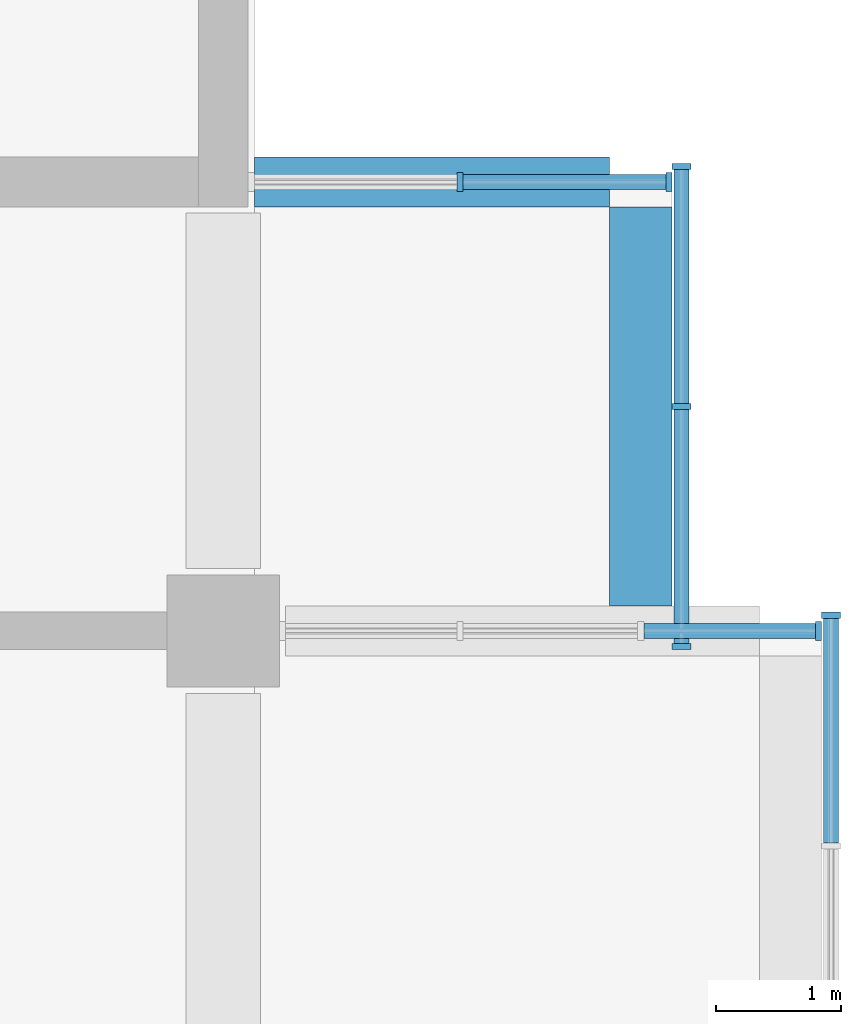
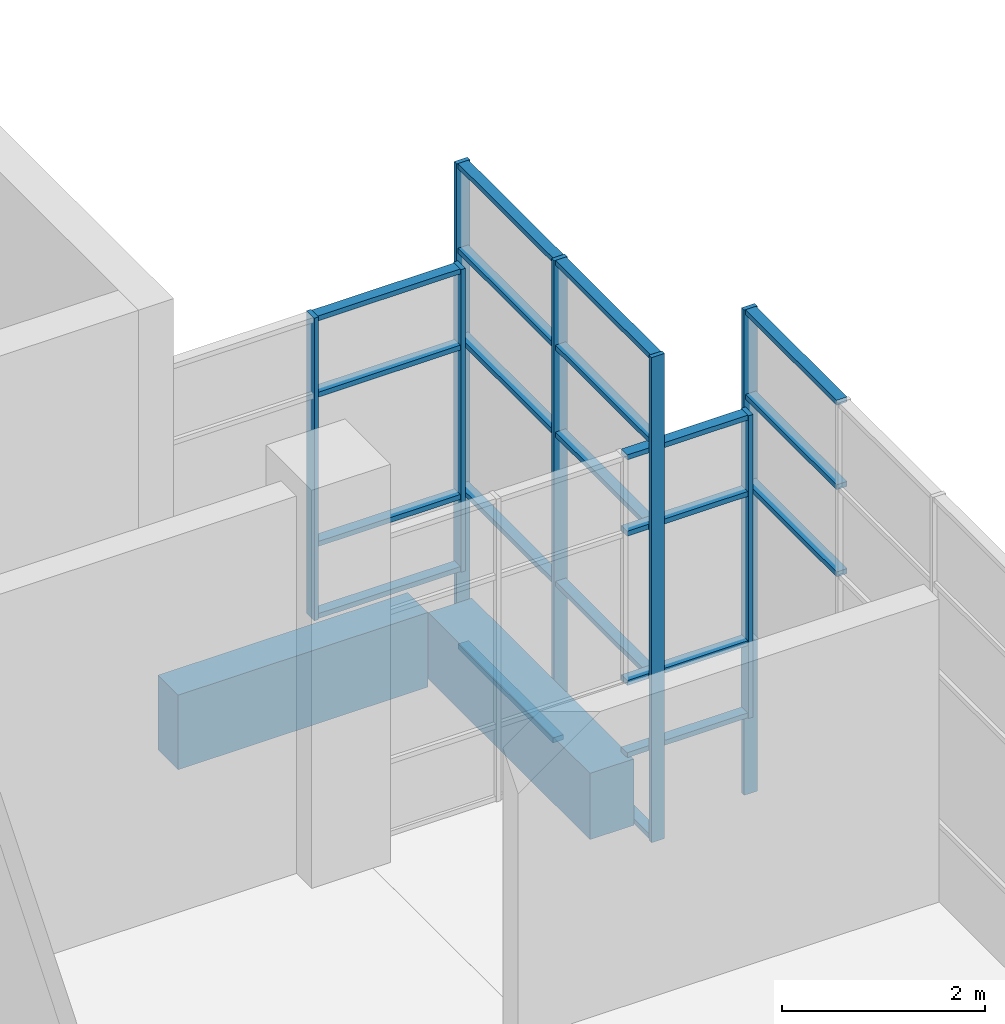
# One storey, part 16 of 32: 28 members, 2 beams, 4 elements without a shape of their own.
"""IFC4 building model written with IfcOpenShell, lengths in metres."""

from ifc_helpers import new_model, si_unit, direction, frame, origin, origin_2d, place, context, subcontext, project, spatial, rectangle, extrude, material, layer, layer_set, material_profile, profile_set, type_object, element, aggregate, save


model = new_model("IFC4")

# Units and contexts
model_context = context("Model", 3, precision=1e-05, world=origin(), true_north=direction((0.0, 1.0)))
body_context = subcontext(model_context, "Body", "Model", "MODEL_VIEW")
ifc_project = project(units=[si_unit("LENGTHUNIT", "METRE"), si_unit("AREAUNIT", "SQUARE_METRE"), si_unit("VOLUMEUNIT", "CUBIC_METRE"), si_unit("PLANEANGLEUNIT", "RADIAN"), si_unit("MASSUNIT", "GRAM", prefix="KILO")], contexts=[model_context])

# Site, building, storey
site_placement = place(None, origin())
site = spatial("IfcSite", under=ifc_project, at=site_placement, CompositionType="ELEMENT")
building_placement = place(site_placement, origin())
building = spatial("IfcBuilding", under=site, at=building_placement, Name="Basin Gate Institute", CompositionType="ELEMENT")
storey_placement = place(building_placement, frame((0.0, 0.0, 41.39990234375)))
storey = spatial("IfcBuildingStorey", under=building, at=storey_placement, Name="L08", CompositionType="ELEMENT", Elevation=41.39990234375)

# Beam
ifc_material_1 = material(Name="Concrete 50 MPa", Category="concrete")
ifc_material_profile_1 = material_profile(ifc_material_1, rectangle(XDim=0.39990234375, YDim=0.89990234375, at=origin_2d()), Name="Cantilever beam B3 400 x 900")
ifc_profile_set_1 = profile_set([ifc_material_profile_1], Name="Concrete 50 MPa")
beam_type_1 = type_object("IfcBeamType", Name="Cantilever beam B3 R120", PredefinedType="BEAM", material=ifc_profile_set_1)
beam_1_placement = place(storey_placement, frame((121.89990234375, 60.300048828125, -0.699951171875), z_axis=(-1.0, 0.0, 0.0), x_axis=(0.0, -1.0, 0.0)))
element("IfcBeam", 1, at=beam_1_placement, inside=storey, type_object=beam_type_1, material=ifc_profile_set_1, Name="BEAM/L08/E/CANT/08", PredefinedType="BEAM", context=body_context, shape_type="SweptSolid", body=[
    extrude(rectangle(XDim=0.39990234375, YDim=0.89990234375, at=origin_2d()), origin(), (0.0, 0.0, 1.0), 2.849853515625),
])

# Curtain wall, member
ifc_material_2 = material(Name="Aluminium-framed glazing", Category="aluminium")
ifc_layer = layer(ifc_material_2, 0.14990234375)
ifc_layer_set = layer_set([ifc_layer], Name="Capsule front curtain wall CW1")
curtain_wall_type = type_object("IfcCurtainWallType", Name="Capsule front curtain wall CW1", PredefinedType="NOTDEFINED", material=ifc_layer_set)
curtain_wall_1_placement = place(storey_placement, origin())
curtain_wall_1 = element("IfcCurtainWall", 2, at=curtain_wall_1_placement, inside=storey, type_object=curtain_wall_type, material=ifc_layer_set, Name="Capsule front curtain wall E wing capsule end L08 line 7", PredefinedType="NOTDEFINED")
ifc_material_3 = material(Name="Aluminium", Category="aluminium")
ifc_material_profile_2 = material_profile(ifc_material_3, rectangle(XDim=0.14990234375, YDim=0.050048828125, at=origin_2d()), Name="Mullion MU1 150 x 50")
ifc_profile_set_2 = profile_set([ifc_material_profile_2], Name="Aluminium")
member_type_1 = type_object("IfcMemberType", Name="Mullion MU1", PredefinedType="MULLION", material=ifc_profile_set_2)
member_1_placement = place(storey_placement, frame((123.574951171875, 56.699951171875, 0.0), z_axis=(0.0, 0.0, 1.0), x_axis=(0.0, -1.0, 0.0)))
member_1 = element("IfcMember", 3, at=member_1_placement, type_object=member_type_1, material=ifc_profile_set_2, Name="CW1 mullion 1", PredefinedType="MULLION", context=body_context, shape_type="SweptSolid", body=[
    extrude(rectangle(XDim=0.14990234375, YDim=0.050048828125, at=origin_2d()), origin(), (0.0, 0.0, 1.0), 3.650146484375),
])

# Curtain wall, members
curtain_wall_2_placement = place(storey_placement, origin())
curtain_wall_2 = element("IfcCurtainWall", 4, at=curtain_wall_2_placement, inside=storey, type_object=curtain_wall_type, material=ifc_layer_set, Name="Capsule front curtain wall E wing capsule end L08 line 8", PredefinedType="NOTDEFINED")
member_2_placement = place(storey_placement, frame((122.375, 60.300048828125, 0.0), z_axis=(0.0, 0.0, 1.0), x_axis=(0.0, -1.0, 0.0)))
member_2 = element("IfcMember", 5, at=member_2_placement, type_object=member_type_1, material=ifc_profile_set_2, Name="CW1 mullion 1", PredefinedType="MULLION", context=body_context, shape_type="SweptSolid", body=[
    extrude(rectangle(XDim=0.14990234375, YDim=0.050048828125, at=origin_2d()), origin(), (0.0, 0.0, 1.0), 3.650146484375),
])
member_3_placement = place(storey_placement, frame((120.699951171875, 60.300048828125, 0.0), z_axis=(0.0, 0.0, 1.0), x_axis=(0.0, -1.0, 0.0)))
member_3 = element("IfcMember", 6, at=member_3_placement, type_object=member_type_1, material=ifc_profile_set_2, Name="CW1 mullion 2", PredefinedType="MULLION", context=body_context, shape_type="SweptSolid", body=[
    extrude(rectangle(XDim=0.14990234375, YDim=0.050048828125, at=origin_2d()), origin(), (0.0, 0.0, 1.0), 3.650146484375),
])

# Curtain wall, member
curtain_wall_3_placement = place(storey_placement, origin())
curtain_wall_3 = element("IfcCurtainWall", 7, at=curtain_wall_3_placement, inside=storey, type_object=curtain_wall_type, material=ifc_layer_set, Name="Capsule front curtain wall E wing capsule 1 L08 front 2", PredefinedType="NOTDEFINED")
member_4_placement = place(storey_placement, frame((123.675048828125, 56.824951171875, -1.0498046875), z_axis=(0.0, 0.0, 1.0), x_axis=(-1.0, 0.0, 0.0)))
member_4 = element("IfcMember", 8, at=member_4_placement, type_object=member_type_1, material=ifc_profile_set_2, Name="CW1 mullion 5", PredefinedType="MULLION", context=body_context, shape_type="SweptSolid", body=[
    extrude(rectangle(XDim=0.14990234375, YDim=0.050048828125, at=origin_2d()), origin(), (0.0, 0.0, 1.0), 5.849853515625),
])

# Curtain wall, members
curtain_wall_4_placement = place(storey_placement, origin())
curtain_wall_4 = element("IfcCurtainWall", 9, at=curtain_wall_4_placement, inside=storey, type_object=curtain_wall_type, material=ifc_layer_set, Name="Capsule front curtain wall E wing capsule 1 L08 front 4", PredefinedType="NOTDEFINED")
member_5_placement = place(storey_placement, frame((122.47509765625, 56.574951171875, -1.0498046875), z_axis=(0.0, 0.0, 1.0), x_axis=(-1.0, 0.0, 0.0)))
member_5 = element("IfcMember", 10, at=member_5_placement, type_object=member_type_1, material=ifc_profile_set_2, Name="CW1 mullion 1", PredefinedType="MULLION", context=body_context, shape_type="SweptSolid", body=[
    extrude(rectangle(XDim=0.14990234375, YDim=0.050048828125, at=origin_2d()), origin(), (0.0, 0.0, 1.0), 5.849853515625),
])
member_6_placement = place(storey_placement, frame((122.47509765625, 58.5, -1.0498046875), z_axis=(0.0, 0.0, 1.0), x_axis=(-1.0, 0.0, 0.0)))
member_6 = element("IfcMember", 11, at=member_6_placement, type_object=member_type_1, material=ifc_profile_set_2, Name="CW1 mullion 2", PredefinedType="MULLION", context=body_context, shape_type="SweptSolid", body=[
    extrude(rectangle(XDim=0.14990234375, YDim=0.050048828125, at=origin_2d()), origin(), (0.0, 0.0, 1.0), 5.849853515625),
])
member_7_placement = place(storey_placement, frame((122.47509765625, 60.425048828125, -1.0498046875), z_axis=(0.0, 0.0, 1.0), x_axis=(-1.0, 0.0, 0.0)))
member_7 = element("IfcMember", 12, at=member_7_placement, type_object=member_type_1, material=ifc_profile_set_2, Name="CW1 mullion 3", PredefinedType="MULLION", context=body_context, shape_type="SweptSolid", body=[
    extrude(rectangle(XDim=0.14990234375, YDim=0.050048828125, at=origin_2d()), origin(), (0.0, 0.0, 1.0), 5.849853515625),
])

# Beam
ifc_material_4 = material(Name="Concrete 50 MPa", Category="concrete")
ifc_material_profile_3 = material_profile(ifc_material_4, rectangle(XDim=0.5, YDim=0.800048828125, at=origin_2d()), Name="Tip beam TB1 500 x 800")
ifc_profile_set_3 = profile_set([ifc_material_profile_3], Name="Concrete 50 MPa")
beam_type_2 = type_object("IfcBeamType", Name="Tip beam TB1 R120", PredefinedType="SPANDREL", material=ifc_profile_set_3)
beam_2_placement = place(storey_placement, frame((122.14990234375, 56.89990234375, -0.64990234375), z_axis=(0.0, 1.0, 0.0), x_axis=(-1.0, 0.0, 0.0)))
element("IfcBeam", 13, at=beam_2_placement, inside=storey, type_object=beam_type_2, material=ifc_profile_set_3, Name="BEAM/L08/E/TIP/4", PredefinedType="SPANDREL", context=body_context, shape_type="SweptSolid", body=[
    extrude(rectangle(XDim=0.5, YDim=0.800048828125, at=origin_2d()), origin(), (0.0, 0.0, 1.0), 3.2001953125),
])

# Member
ifc_material_5 = material(Name="Aluminium", Category="aluminium")
ifc_material_profile_4 = material_profile(ifc_material_5, rectangle(XDim=0.1201171875, YDim=0.06005859375, at=origin_2d()), Name="Transom TR1 120 x 60")
ifc_profile_set_4 = profile_set([ifc_material_profile_4], Name="Aluminium")
member_type_2 = type_object("IfcMemberType", Name="Transom TR1", PredefinedType="USERDEFINED", material=ifc_profile_set_4)
member_8_placement = place(storey_placement, frame((123.550048828125, 56.699951171875, 0.030029296875), z_axis=(-1.0, 0.0, 0.0), x_axis=(0.0, -1.0, 0.0)))
member_8 = element("IfcMember", 14, at=member_8_placement, type_object=member_type_2, material=ifc_profile_set_4, Name="CW1 transom 1.1", ObjectType="TRANSOM", PredefinedType="USERDEFINED", context=body_context, shape_type="SweptSolid", body=[
    extrude(rectangle(XDim=0.1201171875, YDim=0.06005859375, at=origin_2d()), origin(), (0.0, 0.0, 1.0), 1.375),
])

member_9_placement = place(storey_placement, frame((123.550048828125, 56.699951171875, 0.900146484375), z_axis=(-1.0, 0.0, 0.0), x_axis=(0.0, -1.0, 0.0)))
member_9 = element("IfcMember", 15, at=member_9_placement, type_object=member_type_2, material=ifc_profile_set_4, Name="CW1 transom 1.2", ObjectType="TRANSOM", PredefinedType="USERDEFINED", context=body_context, shape_type="SweptSolid", body=[
    extrude(rectangle(XDim=0.1201171875, YDim=0.06005859375, at=origin_2d()), origin(), (0.0, 0.0, 1.0), 1.375),
])

member_10_placement = place(storey_placement, frame((123.550048828125, 56.699951171875, 2.7001953125), z_axis=(-1.0, 0.0, 0.0), x_axis=(0.0, -1.0, 0.0)))
member_10 = element("IfcMember", 16, at=member_10_placement, type_object=member_type_2, material=ifc_profile_set_4, Name="CW1 transom 1.3", ObjectType="TRANSOM", PredefinedType="USERDEFINED", context=body_context, shape_type="SweptSolid", body=[
    extrude(rectangle(XDim=0.1201171875, YDim=0.06005859375, at=origin_2d()), origin(), (0.0, 0.0, 1.0), 1.375),
])

member_11_placement = place(storey_placement, frame((123.550048828125, 56.699951171875, 3.6201171875), z_axis=(-1.0, 0.0, 0.0), x_axis=(0.0, -1.0, 0.0)))
member_11 = element("IfcMember", 17, at=member_11_placement, type_object=member_type_2, material=ifc_profile_set_4, Name="CW1 transom 1.4", ObjectType="TRANSOM", PredefinedType="USERDEFINED", context=body_context, shape_type="SweptSolid", body=[
    extrude(rectangle(XDim=0.1201171875, YDim=0.06005859375, at=origin_2d()), origin(), (0.0, 0.0, 1.0), 1.375),
])

aggregate(curtain_wall_1, [member_1, member_8, member_9, member_10, member_11])

member_12_placement = place(storey_placement, frame((122.35009765625, 60.300048828125, 0.030029296875), z_axis=(-1.0, 0.0, 0.0), x_axis=(0.0, -1.0, 0.0)))
member_12 = element("IfcMember", 18, at=member_12_placement, type_object=member_type_2, material=ifc_profile_set_4, Name="CW1 transom 1.1", ObjectType="TRANSOM", PredefinedType="USERDEFINED", context=body_context, shape_type="SweptSolid", body=[
    extrude(rectangle(XDim=0.1201171875, YDim=0.06005859375, at=origin_2d()), origin(), (0.0, 0.0, 1.0), 1.625),
])

member_13_placement = place(storey_placement, frame((122.35009765625, 60.300048828125, 0.900146484375), z_axis=(-1.0, 0.0, 0.0), x_axis=(0.0, -1.0, 0.0)))
member_13 = element("IfcMember", 19, at=member_13_placement, type_object=member_type_2, material=ifc_profile_set_4, Name="CW1 transom 1.2", ObjectType="TRANSOM", PredefinedType="USERDEFINED", context=body_context, shape_type="SweptSolid", body=[
    extrude(rectangle(XDim=0.1201171875, YDim=0.06005859375, at=origin_2d()), origin(), (0.0, 0.0, 1.0), 1.625),
])

member_14_placement = place(storey_placement, frame((122.35009765625, 60.300048828125, 2.7001953125), z_axis=(-1.0, 0.0, 0.0), x_axis=(0.0, -1.0, 0.0)))
member_14 = element("IfcMember", 20, at=member_14_placement, type_object=member_type_2, material=ifc_profile_set_4, Name="CW1 transom 1.3", ObjectType="TRANSOM", PredefinedType="USERDEFINED", context=body_context, shape_type="SweptSolid", body=[
    extrude(rectangle(XDim=0.1201171875, YDim=0.06005859375, at=origin_2d()), origin(), (0.0, 0.0, 1.0), 1.625),
])

member_15_placement = place(storey_placement, frame((122.35009765625, 60.300048828125, 3.6201171875), z_axis=(-1.0, 0.0, 0.0), x_axis=(0.0, -1.0, 0.0)))
member_15 = element("IfcMember", 21, at=member_15_placement, type_object=member_type_2, material=ifc_profile_set_4, Name="CW1 transom 1.4", ObjectType="TRANSOM", PredefinedType="USERDEFINED", context=body_context, shape_type="SweptSolid", body=[
    extrude(rectangle(XDim=0.1201171875, YDim=0.06005859375, at=origin_2d()), origin(), (0.0, 0.0, 1.0), 1.625),
])

aggregate(curtain_wall_2, [member_2, member_3, member_12, member_13, member_14, member_15])

member_16_placement = place(storey_placement, frame((123.675048828125, 55.0, 2.7001953125), z_axis=(0.0, 1.0, 0.0), x_axis=(-1.0, 0.0, 0.0)))
member_16 = element("IfcMember", 22, at=member_16_placement, type_object=member_type_2, material=ifc_profile_set_4, Name="CW1 transom 4.3", ObjectType="TRANSOM", PredefinedType="USERDEFINED", context=body_context, shape_type="SweptSolid", body=[
    extrude(rectangle(XDim=0.1201171875, YDim=0.06005859375, at=origin_2d()), origin(), (0.0, 0.0, 1.0), 1.800048828125),
])

member_17_placement = place(storey_placement, frame((123.675048828125, 55.0, 3.75), z_axis=(0.0, 1.0, 0.0), x_axis=(-1.0, 0.0, 0.0)))
member_17 = element("IfcMember", 23, at=member_17_placement, type_object=member_type_2, material=ifc_profile_set_4, Name="CW1 transom 4.4", ObjectType="TRANSOM", PredefinedType="USERDEFINED", context=body_context, shape_type="SweptSolid", body=[
    extrude(rectangle(XDim=0.1201171875, YDim=0.06005859375, at=origin_2d()), origin(), (0.0, 0.0, 1.0), 1.800048828125),
])

member_18_placement = place(storey_placement, frame((123.675048828125, 55.0, 4.77001953125), z_axis=(0.0, 1.0, 0.0), x_axis=(-1.0, 0.0, 0.0)))
member_18 = element("IfcMember", 24, at=member_18_placement, type_object=member_type_2, material=ifc_profile_set_4, Name="CW1 transom 4.5", ObjectType="TRANSOM", PredefinedType="USERDEFINED", context=body_context, shape_type="SweptSolid", body=[
    extrude(rectangle(XDim=0.1201171875, YDim=0.06005859375, at=origin_2d()), origin(), (0.0, 0.0, 1.0), 1.800048828125),
])

aggregate(curtain_wall_3, [member_4, member_16, member_17, member_18])

member_19_placement = place(storey_placement, frame((122.47509765625, 56.60009765625, -1.02001953125), z_axis=(0.0, 1.0, 0.0), x_axis=(-1.0, 0.0, 0.0)))
member_19 = element("IfcMember", 25, at=member_19_placement, type_object=member_type_2, material=ifc_profile_set_4, Name="CW1 transom 1.1", ObjectType="TRANSOM", PredefinedType="USERDEFINED", context=body_context, shape_type="SweptSolid", body=[
    extrude(rectangle(XDim=0.1201171875, YDim=0.06005859375, at=origin_2d()), origin(), (0.0, 0.0, 1.0), 1.875),
])

member_20_placement = place(storey_placement, frame((122.47509765625, 56.60009765625, 0.900146484375), z_axis=(0.0, 1.0, 0.0), x_axis=(-1.0, 0.0, 0.0)))
member_20 = element("IfcMember", 26, at=member_20_placement, type_object=member_type_2, material=ifc_profile_set_4, Name="CW1 transom 1.2", ObjectType="TRANSOM", PredefinedType="USERDEFINED", context=body_context, shape_type="SweptSolid", body=[
    extrude(rectangle(XDim=0.1201171875, YDim=0.06005859375, at=origin_2d()), origin(), (0.0, 0.0, 1.0), 1.875),
])

member_21_placement = place(storey_placement, frame((122.47509765625, 56.60009765625, 2.7001953125), z_axis=(0.0, 1.0, 0.0), x_axis=(-1.0, 0.0, 0.0)))
member_21 = element("IfcMember", 27, at=member_21_placement, type_object=member_type_2, material=ifc_profile_set_4, Name="CW1 transom 1.3", ObjectType="TRANSOM", PredefinedType="USERDEFINED", context=body_context, shape_type="SweptSolid", body=[
    extrude(rectangle(XDim=0.1201171875, YDim=0.06005859375, at=origin_2d()), origin(), (0.0, 0.0, 1.0), 1.875),
])

member_22_placement = place(storey_placement, frame((122.47509765625, 56.60009765625, 3.75), z_axis=(0.0, 1.0, 0.0), x_axis=(-1.0, 0.0, 0.0)))
member_22 = element("IfcMember", 28, at=member_22_placement, type_object=member_type_2, material=ifc_profile_set_4, Name="CW1 transom 1.4", ObjectType="TRANSOM", PredefinedType="USERDEFINED", context=body_context, shape_type="SweptSolid", body=[
    extrude(rectangle(XDim=0.1201171875, YDim=0.06005859375, at=origin_2d()), origin(), (0.0, 0.0, 1.0), 1.875),
])

member_23_placement = place(storey_placement, frame((122.47509765625, 56.60009765625, 4.77001953125), z_axis=(0.0, 1.0, 0.0), x_axis=(-1.0, 0.0, 0.0)))
member_23 = element("IfcMember", 29, at=member_23_placement, type_object=member_type_2, material=ifc_profile_set_4, Name="CW1 transom 1.5", ObjectType="TRANSOM", PredefinedType="USERDEFINED", context=body_context, shape_type="SweptSolid", body=[
    extrude(rectangle(XDim=0.1201171875, YDim=0.06005859375, at=origin_2d()), origin(), (0.0, 0.0, 1.0), 1.875),
])

member_24_placement = place(storey_placement, frame((122.47509765625, 58.52490234375, -1.02001953125), z_axis=(0.0, 1.0, 0.0), x_axis=(-1.0, 0.0, 0.0)))
member_24 = element("IfcMember", 30, at=member_24_placement, type_object=member_type_2, material=ifc_profile_set_4, Name="CW1 transom 2.1", ObjectType="TRANSOM", PredefinedType="USERDEFINED", context=body_context, shape_type="SweptSolid", body=[
    extrude(rectangle(XDim=0.1201171875, YDim=0.06005859375, at=origin_2d()), origin(), (0.0, 0.0, 1.0), 1.875),
])

member_25_placement = place(storey_placement, frame((122.47509765625, 58.52490234375, 0.900146484375), z_axis=(0.0, 1.0, 0.0), x_axis=(-1.0, 0.0, 0.0)))
member_25 = element("IfcMember", 31, at=member_25_placement, type_object=member_type_2, material=ifc_profile_set_4, Name="CW1 transom 2.2", ObjectType="TRANSOM", PredefinedType="USERDEFINED", context=body_context, shape_type="SweptSolid", body=[
    extrude(rectangle(XDim=0.1201171875, YDim=0.06005859375, at=origin_2d()), origin(), (0.0, 0.0, 1.0), 1.875),
])

member_26_placement = place(storey_placement, frame((122.47509765625, 58.52490234375, 2.7001953125), z_axis=(0.0, 1.0, 0.0), x_axis=(-1.0, 0.0, 0.0)))
member_26 = element("IfcMember", 32, at=member_26_placement, type_object=member_type_2, material=ifc_profile_set_4, Name="CW1 transom 2.3", ObjectType="TRANSOM", PredefinedType="USERDEFINED", context=body_context, shape_type="SweptSolid", body=[
    extrude(rectangle(XDim=0.1201171875, YDim=0.06005859375, at=origin_2d()), origin(), (0.0, 0.0, 1.0), 1.875),
])

member_27_placement = place(storey_placement, frame((122.47509765625, 58.52490234375, 3.75), z_axis=(0.0, 1.0, 0.0), x_axis=(-1.0, 0.0, 0.0)))
member_27 = element("IfcMember", 33, at=member_27_placement, type_object=member_type_2, material=ifc_profile_set_4, Name="CW1 transom 2.4", ObjectType="TRANSOM", PredefinedType="USERDEFINED", context=body_context, shape_type="SweptSolid", body=[
    extrude(rectangle(XDim=0.1201171875, YDim=0.06005859375, at=origin_2d()), origin(), (0.0, 0.0, 1.0), 1.875),
])

member_28_placement = place(storey_placement, frame((122.47509765625, 58.52490234375, 4.77001953125), z_axis=(0.0, 1.0, 0.0), x_axis=(-1.0, 0.0, 0.0)))
member_28 = element("IfcMember", 34, at=member_28_placement, type_object=member_type_2, material=ifc_profile_set_4, Name="CW1 transom 2.5", ObjectType="TRANSOM", PredefinedType="USERDEFINED", context=body_context, shape_type="SweptSolid", body=[
    extrude(rectangle(XDim=0.1201171875, YDim=0.06005859375, at=origin_2d()), origin(), (0.0, 0.0, 1.0), 1.875),
])

aggregate(curtain_wall_4, [member_5, member_6, member_7, member_19, member_20, member_21, member_22, member_23, member_24, member_25, member_26, member_27, member_28])

save(model, "model.ifc")
